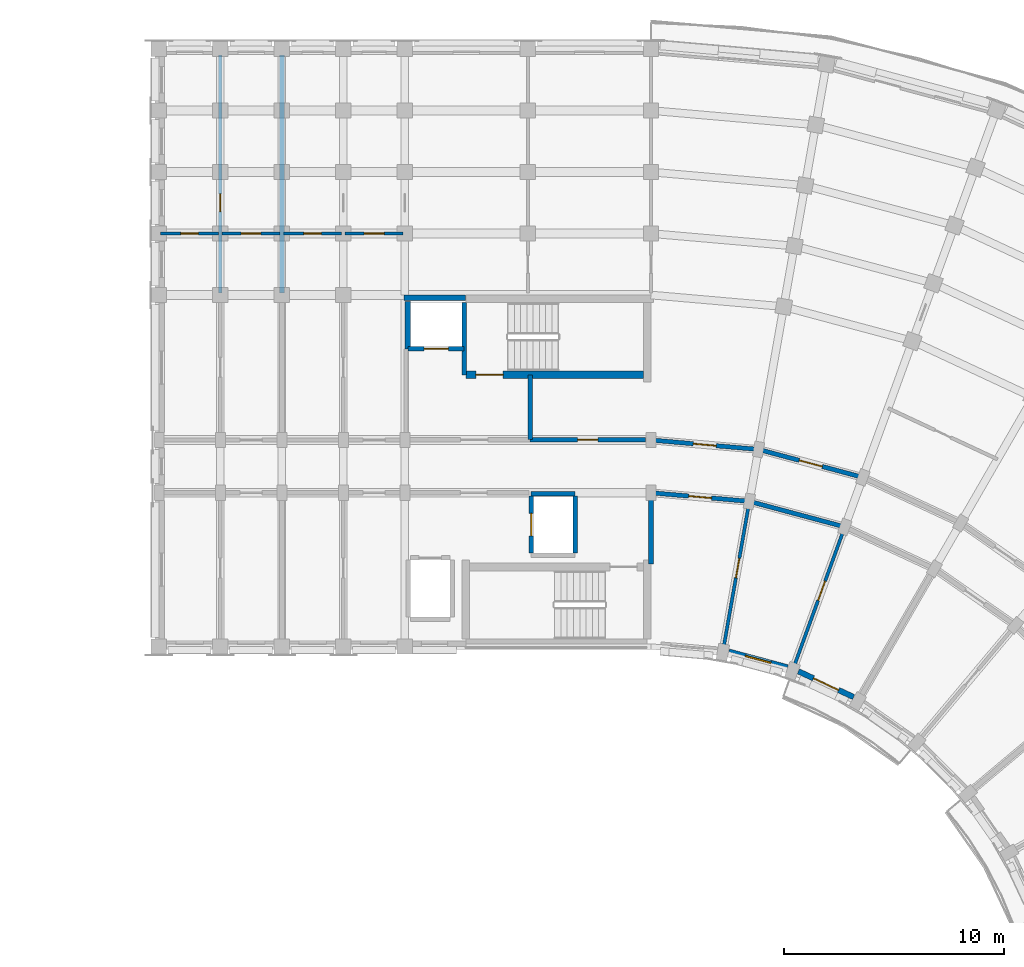
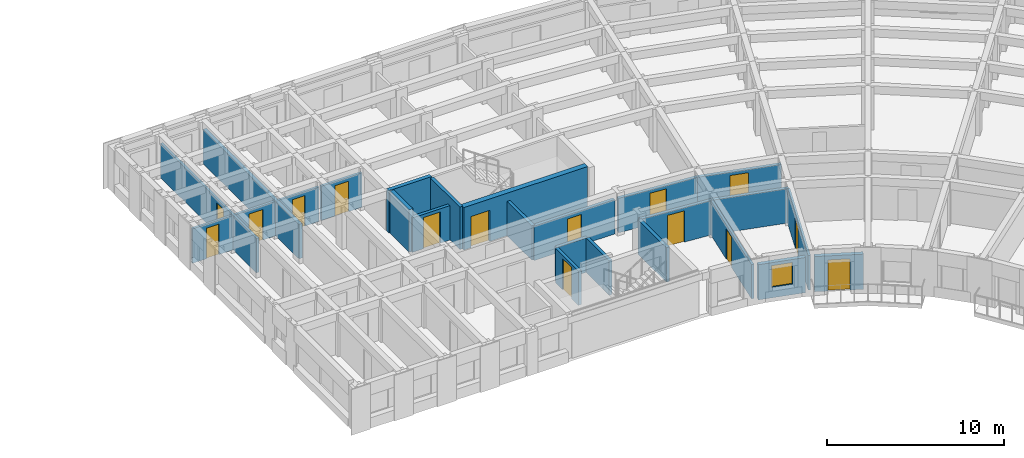
# One storey, part 32 of 57: 25 walls, 15 doors, 1 window, 16 openings.
"""IFC4 building model written with IfcOpenShell, lengths in metres."""

import ifcopenshell
import ifcopenshell.guid

model = None  # the IFC model being written
_history = None  # IfcOwnerHistory: only IFC2X3 demands one
_inside = {}  # id of a spatial element -> (the spatial element, [elements in it])
_under = {}  # id of a project, library or spatial element -> (it, [spatial elements below it])
_declared = {}  # id of a project -> (the project, [libraries it declares])
_typed = {}  # id of a type object -> (the type object, [elements of that type])
_made_of = {}  # id of a material, layer set ... -> (it, [elements and type objects made of it])


def new_model(schema):
    """Start an empty IFC model of exactly this schema.

    Asked for "IFC4X3", IfcOpenShell would pick the latest addendum, in which some entities
    have other attributes; the version numbers below select the first issue.
    IFC2X3 requires an IfcOwnerHistory on every rooted entity: one is made here for all.
    """
    global model, _history
    if schema == "IFC4X3":
        model = ifcopenshell.file(schema_version=(4, 3, 0, 0))
    else:
        model = ifcopenshell.file(schema=schema)
    _inside.clear()
    _under.clear()
    _declared.clear()
    _typed.clear()
    _made_of.clear()
    _history = None
    if model.schema == "IFC2X3":
        org = make("IfcOrganization", Name="unknown")
        user = make(
            "IfcPersonAndOrganization",
            ThePerson=make("IfcPerson", FamilyName="unknown"),
            TheOrganization=org,
        )
        app = make(
            "IfcApplication",
            ApplicationDeveloper=org,
            Version="unknown",
            ApplicationFullName="unknown",
            ApplicationIdentifier="unknown",
        )
        _history = make(
            "IfcOwnerHistory",
            OwningUser=user,
            OwningApplication=app,
            ChangeAction="ADDED",
            CreationDate=0,
        )
    return model


def make(cls, **values):
    """One entity of the class cls with the attributes given. An attribute that is None is left unset."""
    return model.create_entity(
        cls, **{name: value for name, value in values.items() if value is not None}
    )


def rooted(cls, **values):
    """An entity with a GlobalId (a new one), such as an element, a storey or a relation."""
    return make(cls, GlobalId=ifcopenshell.guid.new(), OwnerHistory=_history, **values)


def si_unit(unit_type, name, prefix=None):
    """IfcSIUnit, for example si_unit("LENGTHUNIT", "METRE", prefix="MILLI")."""
    return make("IfcSIUnit", UnitType=unit_type, Prefix=prefix, Name=name)


def assignment(units):
    """IfcUnitAssignment: the units of a project."""
    return None if units is None else make("IfcUnitAssignment", Units=units)


def point(xyz):
    """IfcCartesianPoint."""
    return None if xyz is None else make("IfcCartesianPoint", Coordinates=xyz)


def direction(xyz):
    """IfcDirection."""
    return None if xyz is None else make("IfcDirection", DirectionRatios=xyz)


def frame(location, z_axis=None, x_axis=None):
    """IfcAxis2Placement3D, a coordinate frame: its origin and axes. An axis left out is left unset."""
    return make(
        "IfcAxis2Placement3D",
        Location=point(location),
        Axis=direction(z_axis),
        RefDirection=direction(x_axis),
    )


def frame_2d(location, x_axis=None):
    """IfcAxis2Placement2D, a coordinate frame in the plane: its origin and x axis."""
    return make(
        "IfcAxis2Placement2D", Location=point(location), RefDirection=direction(x_axis)
    )


def origin():
    """The frame at (0, 0, 0) with its axes left unset."""
    return frame((0.0, 0.0, 0.0))


def place(relative_to, where):
    """IfcLocalPlacement: puts the frame where relative to a parent placement (None: the world)."""
    return make(
        "IfcLocalPlacement", PlacementRelTo=relative_to, RelativePlacement=where
    )


def context(
    kind, dimensions, precision=None, world=None, true_north=None, identifier=None
):
    """IfcGeometricRepresentationContext, for example the 3D "Model" context."""
    return make(
        "IfcGeometricRepresentationContext",
        ContextIdentifier=identifier,
        ContextType=kind,
        CoordinateSpaceDimension=dimensions,
        Precision=precision,
        WorldCoordinateSystem=world,
        TrueNorth=true_north,
    )


def subcontext(parent, identifier, kind, view, scale=None):
    """IfcGeometricRepresentationSubContext, for example "Body" below "Model"."""
    return make(
        "IfcGeometricRepresentationSubContext",
        ContextIdentifier=identifier,
        ContextType=kind,
        ParentContext=parent,
        TargetScale=scale,
        TargetView=view,
    )


def project(units=None, contexts=None):
    """IfcProject with its units and contexts."""
    return rooted(
        "IfcProject",
        Name="project",
        RepresentationContexts=contexts,
        UnitsInContext=assignment(units),
    )


def spatial(cls, under=None, at=None, **own):
    """A site, building, storey or space (cls), placed at a placement, below another one or the project."""
    s = rooted(cls, ObjectPlacement=at, **own)
    if under is not None:
        _under.setdefault(under.id(), (under, []))[1].append(s)
    return s


def profile(cls, at=None, kind="AREA", **sizes):
    """A parametric profile (cls). Its sizes go by their IFC names, for example OverallWidth=200.0."""
    return make(cls, ProfileType=kind, Position=at, **sizes)


def rectangle(**sizes):
    """IfcRectangleProfileDef."""
    return profile("IfcRectangleProfileDef", **sizes)


def extrude(swept, where, along, depth):
    """IfcExtrudedAreaSolid: the profile swept, set in the frame where, extruded along a direction by depth."""
    return make(
        "IfcExtrudedAreaSolid",
        SweptArea=swept,
        Position=where,
        ExtrudedDirection=direction(along),
        Depth=depth,
    )


def shape(context_of_items, identifier, shape_type, items):
    """IfcShapeRepresentation: the items that make up one representation, for example the "Body"."""
    return make(
        "IfcShapeRepresentation",
        ContextOfItems=context_of_items,
        RepresentationIdentifier=identifier,
        RepresentationType=shape_type,
        Items=items,
    )


def material(Name=None, Category=None):
    """IfcMaterial."""
    return make("IfcMaterial", Name=Name, Category=Category)


def layer(
    of_material, thickness, ventilated=None, Name=None, Category=None, Priority=None
):
    """IfcMaterialLayer: one layer of a wall or slab, of a material (None: an air gap)."""
    return make(
        "IfcMaterialLayer",
        Material=of_material,
        LayerThickness=thickness,
        IsVentilated=ventilated,
        Name=Name,
        Category=Category,
        Priority=Priority,
    )


def layer_set(layers, Name=None):
    """IfcMaterialLayerSet."""
    return make("IfcMaterialLayerSet", MaterialLayers=layers, LayerSetName=Name)


def made_of(thing, what):
    """Note that an element or type object is made of a material, layer set ...; save() writes the relation."""
    if what is not None:
        _made_of.setdefault(what.id(), (what, []))[1].append(thing)
    return thing


def type_object(cls, material=None, **own):
    """A type object (cls), such as IfcWallType, which elements share."""
    return made_of(rooted(cls, **own), material)


def element(
    cls,
    number,
    at=None,
    inside=None,
    cuts=None,
    type_object=None,
    material=None,
    context=None,
    identifier="Body",
    shape_type=None,
    held_by="IfcProductDefinitionShape",
    body=None,
    shapes=None,
    **own,
):
    """One element of the class cls, such as IfcWall. Its Tag is "e" and its number.

    at: its placement. inside: the storey or other place that contains it. cuts: it is an
    opening in that element (IfcRelVoidsElement). A single representation is given by context,
    identifier, shape_type and body (its items); several are given by shapes. held_by: the class
    of the entity that holds the representations. save() writes the other relations.
    """
    e = rooted(cls, Tag="e%d" % number, ObjectPlacement=at, **own)
    if body is not None:
        shapes = [shape(context, identifier, shape_type, body)]
    if shapes is not None:
        e.Representation = make(held_by, Representations=shapes)
    if inside is not None:
        _inside.setdefault(inside.id(), (inside, []))[1].append(e)
    if cuts is not None:
        rooted(
            "IfcRelVoidsElement", RelatingBuildingElement=cuts, RelatedOpeningElement=e
        )
    if type_object is not None:
        _typed.setdefault(type_object.id(), (type_object, []))[1].append(e)
    return made_of(e, material)


def fill(opening, filler):
    """IfcRelFillsElement: the door or window that sits in an opening."""
    return rooted(
        "IfcRelFillsElement",
        RelatingOpeningElement=opening,
        RelatedBuildingElement=filler,
    )


def aggregate(whole, parts):
    """IfcRelAggregates: a whole, such as a stair, and the parts it consists of."""
    return rooted("IfcRelAggregates", RelatingObject=whole, RelatedObjects=parts)


def save(model, path):
    """Write the relations noted so far, then the file.

    IfcRelAggregates (storeys below a building ...), IfcRelContainedInSpatialStructure (elements
    in a storey), IfcRelDefinesByType, IfcRelAssociatesMaterial and IfcRelDeclares: one each for
    every whole, place, type object, material and project.
    """
    for whole, parts in _under.values():
        aggregate(whole, parts)
    for where, things in _inside.values():
        rooted(
            "IfcRelContainedInSpatialStructure",
            RelatedElements=things,
            RelatingStructure=where,
        )
    for kind, things in _typed.values():
        rooted("IfcRelDefinesByType", RelatedObjects=things, RelatingType=kind)
    for what, things in _made_of.values():
        rooted("IfcRelAssociatesMaterial", RelatedObjects=things, RelatingMaterial=what)
    for by, libraries in _declared.values():
        rooted("IfcRelDeclares", RelatingContext=by, RelatedDefinitions=libraries)
    model.write(path)


model = new_model("IFC4")

# Units and contexts
model_context = context("Model", 3, precision=1e-05, world=origin(), true_north=direction((0.0, 1.0)))
body_context = subcontext(model_context, "Body", "Model", "MODEL_VIEW")
ifc_project = project(units=[si_unit("LENGTHUNIT", "METRE"), si_unit("AREAUNIT", "SQUARE_METRE"), si_unit("VOLUMEUNIT", "CUBIC_METRE"), si_unit("PLANEANGLEUNIT", "RADIAN"), si_unit("MASSUNIT", "GRAM", prefix="KILO")], contexts=[model_context])

# Site, building, storey
site_placement = place(None, origin())
site = spatial("IfcSite", under=ifc_project, at=site_placement, CompositionType="ELEMENT")
building_placement = place(site_placement, origin())
building = spatial("IfcBuilding", under=site, at=building_placement, Name="Kiranvali Square Residences", CompositionType="ELEMENT")
storey_placement = place(building_placement, frame((0.0, 0.0, 24.449951171875)))
storey = spatial("IfcBuildingStorey", under=building, at=storey_placement, Name="L07", CompositionType="ELEMENT", Elevation=24.449951171875)

# Wall, opening, door
ifc_material_1 = material(Name="Autoclaved aerated concrete blockwork masonry", Category="masonry")
ifc_layer_1 = layer(ifc_material_1, 0.199951171875)
ifc_layer_set_1 = layer_set([ifc_layer_1], Name="Autoclaved aerated concrete blockwork masonry")
wall_type_1 = type_object("IfcWallType", Name="WL-COR-200", PredefinedType="STANDARD", material=ifc_layer_set_1)
wall_1_placement = place(storey_placement, frame((119.800048828125, 113.60009765625, 0.0), z_axis=(0.0, 0.0, 1.0), x_axis=(0.996191949488, -0.087187153726, 0.0)))
wall_1 = element("IfcWall", 1, at=wall_1_placement, inside=storey, type_object=wall_type_1, Name="L07 architectural wall WL-L07-B-CCI-0", PredefinedType="STANDARD", context=body_context, shape_type="SweptSolid", body=[
    extrude(rectangle(XDim=4.4970703125, YDim=0.199951171875, at=frame_2d((2.24853515625, 0.0))), origin(), (0.0, 0.0, 1.0), 2.3720703125),
])
opening_1_placement = place(wall_1_placement, frame((1.728515625, 0.0, 0.0)))
opening_1 = element("IfcOpeningElement", 2, at=opening_1_placement, cuts=wall_1, Name="Opening FD-APT-60B", PredefinedType="OPENING", context=body_context, shape_type="SweptSolid", body=[
    extrude(rectangle(XDim=1.0400390625, YDim=2.14990234375, at=frame_2d((0.52001953125, 1.074951171875))), frame((0.0, 0.10986328125, 0.0), z_axis=(0.0, -1.0, 0.0), x_axis=(1.0, 0.0, 0.0)), (0.0, 0.0, 1.0), 0.219970703125),
])
ifc_material_2 = material(Name="Fire-rated acoustic hardwood and mineral-core door assembly", Category="wood")
door_type_1 = type_object("IfcDoorType", Name="DR-APT-1040", OperationType="NOTDEFINED", PredefinedType="DOOR", material=ifc_material_2)
door_1_placement = place(opening_1_placement, origin())
door_1 = element("IfcDoor", 3, at=door_1_placement, inside=storey, type_object=door_type_1, Name="L07 door DR-L07-1431 (DR-APT-1040)", OperationType="SINGLE_SWING_LEFT", OverallHeight=2.14990234375, OverallWidth=1.0400390625, PredefinedType="DOOR", context=body_context, shape_type="SweptSolid", body=[
    extrude(rectangle(XDim=1.0400390625, YDim=2.14990234375, at=frame_2d((0.52001953125, 1.074951171875))), frame((0.0, 0.02490234375, 0.0), z_axis=(0.0, -1.0, 0.0), x_axis=(1.0, 0.0, 0.0)), (0.0, 0.0, 1.0), 0.050048828125),
])
fill(opening_1, door_1)

wall_2_placement = place(storey_placement, frame((119.800048828125, 116.0, 0.0), z_axis=(0.0, 0.0, 1.0), x_axis=(0.996193663584, -0.087167566415, 0.0)))
wall_2 = element("IfcWall", 4, at=wall_2_placement, inside=storey, type_object=wall_type_1, Name="L07 architectural wall WL-L07-B-CCO-0", PredefinedType="STANDARD", context=body_context, shape_type="SweptSolid", body=[
    extrude(rectangle(XDim=4.91552734375, YDim=0.199951171875, at=frame_2d((2.457763671875, 0.0))), origin(), (0.0, 0.0, 1.0), 2.3720703125),
])
opening_2_placement = place(wall_2_placement, frame((1.937744140625, 0.0, 0.0)))
opening_2 = element("IfcOpeningElement", 5, at=opening_2_placement, cuts=wall_2, Name="Opening FD-APT-60B", PredefinedType="OPENING", context=body_context, shape_type="SweptSolid", body=[
    extrude(rectangle(XDim=1.0400390625, YDim=2.14990234375, at=frame_2d((0.52001953125, 1.074951171875))), frame((0.0, 0.10986328125, 0.0), z_axis=(0.0, -1.0, 0.0), x_axis=(1.0, 0.0, 0.0)), (0.0, 0.0, 1.0), 0.219970703125),
])
door_2_placement = place(opening_2_placement, origin())
door_2 = element("IfcDoor", 6, at=door_2_placement, inside=storey, type_object=door_type_1, Name="L07 door DR-L07-1423 (DR-APT-1040)", OperationType="SINGLE_SWING_LEFT", OverallHeight=2.14990234375, OverallWidth=1.0400390625, PredefinedType="DOOR", context=body_context, shape_type="SweptSolid", body=[
    extrude(rectangle(XDim=1.0400390625, YDim=2.14990234375, at=frame_2d((0.52001953125, 1.074951171875))), frame((0.0, 0.02490234375, 0.0), z_axis=(0.0, -1.0, 0.0), x_axis=(1.0, 0.0, 0.0)), (0.0, 0.0, 1.0), 0.050048828125),
])
fill(opening_2, door_2)

# Wall
wall_3_placement = place(storey_placement, frame((124.280029296875, 113.2080078125, 0.0), z_axis=(0.0, 0.0, 1.0), x_axis=(0.965934240054, -0.258787642463, 0.0)))
element("IfcWall", 7, at=wall_3_placement, inside=storey, type_object=wall_type_1, Name="L07 architectural wall WL-L07-B-CCI-1", PredefinedType="STANDARD", context=body_context, shape_type="SweptSolid", body=[
    extrude(rectangle(XDim=4.497314453125, YDim=0.199951171875, at=frame_2d((2.24853515625, 0.0))), origin(), (0.0, 0.0, 1.0), 2.3720703125),
])

# Wall, opening, door
wall_4_placement = place(storey_placement, frame((124.69677734375, 115.571533203125, 0.0), z_axis=(0.0, 0.0, 1.0), x_axis=(0.965930095386, -0.258803112091, 0.0)))
wall_4 = element("IfcWall", 8, at=wall_4_placement, inside=storey, type_object=wall_type_1, Name="L07 architectural wall WL-L07-B-CCO-1", PredefinedType="STANDARD", context=body_context, shape_type="SweptSolid", body=[
    extrude(rectangle(XDim=4.915771484375, YDim=0.199951171875, at=frame_2d((2.4580078125, 0.0))), origin(), (0.0, 0.0, 1.0), 2.3720703125),
])
opening_3_placement = place(wall_4_placement, frame((1.917724609375, 0.0, 0.0)))
opening_3 = element("IfcOpeningElement", 9, at=opening_3_placement, cuts=wall_4, Name="Opening FD-APT-60C", PredefinedType="OPENING", context=body_context, shape_type="SweptSolid", body=[
    extrude(rectangle(XDim=1.080078125, YDim=2.14990234375, at=frame_2d((0.5400390625, 1.074951171875))), frame((0.0, 0.10986328125, 0.0), z_axis=(0.0, -1.0, 0.0), x_axis=(1.0, 0.0, 0.0)), (0.0, 0.0, 1.0), 0.219970703125),
])
door_type_2 = type_object("IfcDoorType", Name="DR-APT-1080", OperationType="NOTDEFINED", PredefinedType="DOOR", material=ifc_material_2)
door_3_placement = place(opening_3_placement, frame((1.080078125, 0.0, 0.0), z_axis=(0.0, 0.0, 1.0), x_axis=(-1.0, 0.0, 0.0)))
door_3 = element("IfcDoor", 10, at=door_3_placement, inside=storey, type_object=door_type_2, Name="L07 door DR-L07-1424 (DR-APT-1080)", OperationType="SINGLE_SWING_RIGHT", OverallHeight=2.14990234375, OverallWidth=1.080078125, PredefinedType="DOOR", context=body_context, shape_type="SweptSolid", body=[
    extrude(rectangle(XDim=1.080078125, YDim=2.14990234375, at=frame_2d((0.5400390625, 1.074951171875))), frame((0.0, 0.02490234375, 0.0), z_axis=(0.0, -1.0, 0.0), x_axis=(1.0, 0.0, 0.0)), (0.0, 0.0, 1.0), 0.050048828125),
])
fill(opening_3, door_3)

# Walls
ifc_layer_2 = layer(ifc_material_1, 0.219970703125)
ifc_layer_set_2 = layer_set([ifc_layer_2], Name="Autoclaved aerated concrete blockwork masonry")
wall_type_2 = type_object("IfcWallType", Name="WL-DEM-220", PredefinedType="STANDARD", material=ifc_layer_set_2)
wall_5_placement = place(storey_placement, frame((103.0, 122.699951171875, 0.0), z_axis=(0.0, 0.0, 1.0), x_axis=(0.0, 1.0, 0.0)))
element("IfcWall", 11, at=wall_5_placement, inside=storey, type_object=wall_type_2, Name="L07 architectural wall WL-L07-B-A1TO2-2", PredefinedType="STANDARD", context=body_context, shape_type="SweptSolid", body=[
    extrude(rectangle(XDim=10.820068359375, YDim=0.219970703125, at=frame_2d((5.41015625, 0.0))), origin(), (0.0, 0.0, 1.0), 2.3720703125),
])
wall_6_placement = place(storey_placement, frame((119.800048828125, 110.35009765625, 0.0), z_axis=(0.0, 0.0, 1.0), x_axis=(0.0, 1.0, 0.0)))
element("IfcWall", 12, at=wall_6_placement, inside=storey, type_object=wall_type_2, Name="L07 architectural wall WL-L07-B-RADI-0", PredefinedType="STANDARD", context=body_context, shape_type="SweptSolid", body=[
    extrude(rectangle(XDim=3.199951171875, YDim=0.219970703125, at=frame_2d((1.60009765625, 0.0))), origin(), (0.0, 0.0, 1.0), 2.3720703125),
])

# Wall, opening, window
ifc_material_3 = material(Name="Breathable lime-rendered clay brick masonry", Category="masonry")
ifc_layer_3 = layer(ifc_material_3, 0.25)
ifc_layer_set_3 = layer_set([ifc_layer_3], Name="Breathable lime-rendered clay brick masonry")
wall_type_3 = type_object("IfcWallType", Name="WL-EXT-250", PredefinedType="STANDARD", material=ifc_layer_set_3)
wall_7_placement = place(storey_placement, frame((123.341796875, 106.369384765625, 0.0), z_axis=(0.0, 0.0, 1.0), x_axis=(0.965935855992, -0.25878161084, 0.0)))
wall_7 = element("IfcWall", 13, at=wall_7_placement, inside=storey, type_object=wall_type_3, Name="L07 exterior wall B-L07-GDN-01", PredefinedType="STANDARD", context=body_context, shape_type="SweptSolid", body=[
    extrude(rectangle(XDim=2.769775390625, YDim=0.25, at=frame_2d((1.384765625, 0.0))), origin(), (0.0, 0.0, 1.0), 2.422119140625),
])
opening_4_placement = place(wall_7_placement, frame((0.784912109375, 0.0, 0.721923828125)))
opening_4 = element("IfcOpeningElement", 14, at=opening_4_placement, cuts=wall_7, Name="Opening W-06", PredefinedType="OPENING", context=body_context, shape_type="SweptSolid", body=[
    extrude(rectangle(XDim=1.199951171875, YDim=1.5, at=frame_2d((0.60009765625, 0.75))), frame((0.0, 0.135009765625, 0.0), z_axis=(0.0, -1.0, 0.0), x_axis=(1.0, 0.0, 0.0)), (0.0, 0.0, 1.0), 0.27001953125),
])
ifc_material_4 = material(Name="Solar-control low-e double glazing", Category="glass")
window_type = type_object("IfcWindowType", Name="WIN-RES-1200x1500", PartitioningType="SINGLE_PANEL", PredefinedType="WINDOW", material=ifc_material_4)
window_placement = place(opening_4_placement, origin())
window = element("IfcWindow", 15, at=window_placement, inside=storey, type_object=window_type, Name="L07 recessed window B-L07-GDN-01", OverallHeight=1.5, OverallWidth=1.199951171875, PartitioningType="SINGLE_PANEL", PredefinedType="WINDOW", context=body_context, shape_type="SweptSolid", body=[
    extrude(rectangle(XDim=1.199951171875, YDim=1.5, at=frame_2d((0.60009765625, 0.75))), frame((0.0, 0.030029296875, 0.0), z_axis=(0.0, -1.0, 0.0), x_axis=(1.0, 0.0, 0.0)), (0.0, 0.0, 1.0), 0.06005859375),
])
fill(opening_4, window)

# Wall, opening, door
wall_8_placement = place(storey_placement, frame((126.5126953125, 105.472412109375, 0.0), z_axis=(0.0, 0.0, 1.0), x_axis=(0.906293449611, -0.422649007088, 0.0)))
wall_8 = element("IfcWall", 16, at=wall_8_placement, inside=storey, type_object=wall_type_3, Name="L07 exterior wall B-L07-GDN-02", PredefinedType="STANDARD", context=body_context, shape_type="SweptSolid", body=[
    extrude(rectangle(XDim=2.769775390625, YDim=0.25, at=frame_2d((1.384765625, 0.0))), origin(), (0.0, 0.0, 1.0), 2.422119140625),
])
opening_5_placement = place(wall_8_placement, frame((0.7548828125, 0.0, 0.0)))
opening_5 = element("IfcOpeningElement", 17, at=opening_5_placement, cuts=wall_8, Name="Opening ED-BAL-2", PredefinedType="OPENING", context=body_context, shape_type="SweptSolid", body=[
    extrude(rectangle(XDim=1.260009765625, YDim=2.14990234375, at=frame_2d((0.6298828125, 1.074951171875))), frame((0.0, 0.135009765625, 0.0), z_axis=(0.0, -1.0, 0.0), x_axis=(1.0, 0.0, 0.0)), (0.0, 0.0, 1.0), 0.27001953125),
])
ifc_material_5 = material(Name="Anodised bronze aluminium framing", Category="aluminium")
door_type_3 = type_object("IfcDoorType", Name="DR-BAL-1260", OperationType="NOTDEFINED", PredefinedType="DOOR", material=ifc_material_5)
door_4_placement = place(opening_5_placement, frame((1.260009765625, 0.0, 0.0), z_axis=(0.0, 0.0, 1.0), x_axis=(-1.0, 0.0, 0.0)))
door_4 = element("IfcDoor", 18, at=door_4_placement, inside=storey, type_object=door_type_3, Name="L07 balcony terrace door", OperationType="SINGLE_SWING_LEFT", OverallHeight=2.14990234375, OverallWidth=1.260009765625, PredefinedType="DOOR", context=body_context, shape_type="SweptSolid", body=[
    extrude(rectangle(XDim=1.260009765625, YDim=2.14990234375, at=frame_2d((0.6298828125, 1.074951171875))), frame((0.0, 0.02490234375, 0.0), z_axis=(0.0, -1.0, 0.0), x_axis=(1.0, 0.0, 0.0)), (0.0, 0.0, 1.0), 0.050048828125),
])
fill(opening_5, door_4)

# Wall
ifc_layer_4 = layer(ifc_material_1, 0.199951171875)
ifc_layer_set_4 = layer_set([ifc_layer_4], Name="Autoclaved aerated concrete blockwork masonry")
wall_type_4 = type_object("IfcWallType", Name="WL-FFL-200", PredefinedType="STANDARD", material=ifc_layer_set_4)
wall_9_placement = place(storey_placement, frame((114.300048828125, 116.02001953125, 0.0), z_axis=(0.0, 0.0, 1.0), x_axis=(0.0, 1.0, 0.0)))
element("IfcWall", 19, at=wall_9_placement, inside=storey, type_object=wall_type_4, Name="L07 architectural wall WL-L07-B-FF-DIV", PredefinedType="STANDARD", context=body_context, shape_type="SweptSolid", body=[
    extrude(rectangle(XDim=2.929931640625, YDim=0.199951171875, at=frame_2d((1.46484375, 0.0))), origin(), (0.0, 0.0, 1.0), 2.3720703125),
])

# Wall, opening, door
wall_10_placement = place(storey_placement, frame((111.300048828125, 120.14990234375, 0.0), z_axis=(0.0, 0.0, 1.0), x_axis=(-1.0, 0.0, 0.0)))
wall_10 = element("IfcWall", 20, at=wall_10_placement, inside=storey, type_object=wall_type_4, Name="L07 architectural wall WL-L07-B-FF-LFT", PredefinedType="STANDARD", context=body_context, shape_type="SweptSolid", body=[
    extrude(rectangle(XDim=2.550048828125, YDim=0.199951171875, at=frame_2d((1.27490234375, 0.0))), origin(), (0.0, 0.0, 1.0), 2.3720703125),
])
opening_6_placement = place(wall_10_placement, frame((0.72509765625, 0.0, 0.0)))
opening_6 = element("IfcOpeningElement", 21, at=opening_6_placement, cuts=wall_10, Name="Opening LD-FF-110", PredefinedType="OPENING", context=body_context, shape_type="SweptSolid", body=[
    extrude(rectangle(XDim=1.10009765625, YDim=2.14990234375, at=frame_2d((0.550048828125, 1.074951171875))), frame((0.0, 0.10986328125, 0.0), z_axis=(0.0, -1.0, 0.0), x_axis=(1.0, 0.0, 0.0)), (0.0, 0.0, 1.0), 0.219970703125),
])
door_type_4 = type_object("IfcDoorType", Name="DR-LIFT-FF-1100", OperationType="SLIDING_TO_LEFT", PredefinedType="DOOR", material=ifc_material_2)
door_5_placement = place(opening_6_placement, origin())
door_5 = element("IfcDoor", 22, at=door_5_placement, inside=storey, type_object=door_type_4, Name="L07 door DR-L07-1388 (DR-LIFT-FF-1100)", OperationType="SLIDING_TO_LEFT", OverallHeight=2.14990234375, OverallWidth=1.10009765625, PredefinedType="DOOR", context=body_context, shape_type="SweptSolid", body=[
    extrude(rectangle(XDim=1.10009765625, YDim=2.14990234375, at=frame_2d((0.550048828125, 1.074951171875))), frame((0.0, 0.02490234375, 0.0), z_axis=(0.0, -1.0, 0.0), x_axis=(1.0, 0.0, 0.0)), (0.0, 0.0, 1.0), 0.050048828125),
])
fill(opening_6, door_5)

ifc_material_6 = material(Name="Acoustic gypsum board drylined partition", Category="gypsum")
ifc_layer_5 = layer(ifc_material_6, 0.14990234375)
ifc_layer_set_5 = layer_set([ifc_layer_5], Name="Acoustic gypsum board drylined partition")
wall_type_5 = type_object("IfcWallType", Name="WL-PRT-150", PredefinedType="PARTITIONING", material=ifc_layer_set_5)
wall_11_placement = place(storey_placement, frame((100.199951171875, 122.699951171875, 0.0), z_axis=(0.0, 0.0, 1.0), x_axis=(0.0, 1.0, 0.0)))
wall_11 = element("IfcWall", 23, at=wall_11_placement, inside=storey, type_object=wall_type_5, Name="L07 architectural wall WL-L07-B-A1TO2-3", PredefinedType="PARTITIONING", context=body_context, shape_type="SweptSolid", body=[
    extrude(rectangle(XDim=10.820068359375, YDim=0.14990234375, at=frame_2d((5.41015625, 0.0))), origin(), (0.0, 0.0, 1.0), 2.3720703125),
])
opening_7_placement = place(wall_11_placement, frame((3.69970703125, 0.0, 0.0)))
opening_7 = element("IfcOpeningElement", 24, at=opening_7_placement, cuts=wall_11, Name="Opening ID-WET", PredefinedType="OPENING", context=body_context, shape_type="SweptSolid", body=[
    extrude(rectangle(XDim=0.800048828125, YDim=2.10009765625, at=frame_2d((0.39990234375, 1.050048828125))), frame((0.0, 0.0849609375, 0.0), z_axis=(0.0, -1.0, 0.0), x_axis=(1.0, 0.0, 0.0)), (0.0, 0.0, 1.0), 0.169921875),
])
ifc_material_7 = material(Name="Solid seasoned teak hardwood joinery", Category="wood")
door_type_5 = type_object("IfcDoorType", Name="DR-WET-800", OperationType="NOTDEFINED", PredefinedType="DOOR", material=ifc_material_7)
door_6_placement = place(opening_7_placement, frame((0.800048828125, 0.0, 0.0), z_axis=(0.0, 0.0, 1.0), x_axis=(-1.0, 0.0, 0.0)))
door_6 = element("IfcDoor", 25, at=door_6_placement, inside=storey, type_object=door_type_5, Name="L07 door DR-L07-1412 (DR-WET-800)", OperationType="SINGLE_SWING_RIGHT", OverallHeight=2.10009765625, OverallWidth=0.800048828125, PredefinedType="DOOR", context=body_context, shape_type="SweptSolid", body=[
    extrude(rectangle(XDim=0.800048828125, YDim=2.10009765625, at=frame_2d((0.39990234375, 1.050048828125))), frame((0.0, 0.02490234375, 0.0), z_axis=(0.0, -1.0, 0.0), x_axis=(1.0, 0.0, 0.0)), (0.0, 0.0, 1.0), 0.050048828125),
])
fill(opening_7, door_6)

wall_12_placement = place(storey_placement, frame((123.099365234375, 106.51123046875, 0.0), z_axis=(0.0, 0.0, 1.0), x_axis=(0.173647089161, 0.984807944945, 0.0)))
wall_12 = element("IfcWall", 26, at=wall_12_placement, inside=storey, type_object=wall_type_5, Name="L07 architectural wall WL-L07-B-RADI-1", PredefinedType="PARTITIONING", context=body_context, shape_type="SweptSolid", body=[
    extrude(rectangle(XDim=6.75, YDim=0.14990234375, at=frame_2d((3.375, 0.0))), origin(), (0.0, 0.0, 1.0), 2.3720703125),
])
opening_8_placement = place(wall_12_placement, frame((3.262451171875, 0.0, 0.0)))
opening_8 = element("IfcOpeningElement", 27, at=opening_8_placement, cuts=wall_12, Name="Opening ID-1", PredefinedType="OPENING", context=body_context, shape_type="SweptSolid", body=[
    extrude(rectangle(XDim=0.89990234375, YDim=2.10009765625, at=frame_2d((0.449951171875, 1.050048828125))), frame((0.0, 0.0849609375, 0.0), z_axis=(0.0, -1.0, 0.0), x_axis=(1.0, 0.0, 0.0)), (0.0, 0.0, 1.0), 0.169921875),
])
door_type_6 = type_object("IfcDoorType", Name="DR-INT-900", OperationType="NOTDEFINED", PredefinedType="DOOR", material=ifc_material_7)
door_7_placement = place(opening_8_placement, frame((0.89990234375, 0.0, 0.0), z_axis=(0.0, 0.0, 1.0), x_axis=(-1.0, 0.0, 0.0)))
door_7 = element("IfcDoor", 28, at=door_7_placement, inside=storey, type_object=door_type_6, Name="L07 door DR-L07-1414 (DR-INT-900)", OperationType="SINGLE_SWING_RIGHT", OverallHeight=2.10009765625, OverallWidth=0.89990234375, PredefinedType="DOOR", context=body_context, shape_type="SweptSolid", body=[
    extrude(rectangle(XDim=0.89990234375, YDim=2.10009765625, at=frame_2d((0.449951171875, 1.050048828125))), frame((0.0, 0.02490234375, 0.0), z_axis=(0.0, -1.0, 0.0), x_axis=(1.0, 0.0, 0.0)), (0.0, 0.0, 1.0), 0.050048828125),
])
fill(opening_8, door_7)

wall_13_placement = place(storey_placement, frame((126.29833984375, 105.654052734375, 0.0), z_axis=(0.0, 0.0, 1.0), x_axis=(0.342010221662, 0.939696231917, 0.0)))
wall_13 = element("IfcWall", 29, at=wall_13_placement, inside=storey, type_object=wall_type_5, Name="L07 architectural wall WL-L07-B-RADI-2", PredefinedType="PARTITIONING", context=body_context, shape_type="SweptSolid", body=[
    extrude(rectangle(XDim=6.75, YDim=0.14990234375, at=frame_2d((3.375, 0.0))), origin(), (0.0, 0.0, 1.0), 2.3720703125),
])
opening_9_placement = place(wall_13_placement, frame((3.242431640625, 0.0, 0.0)))
opening_9 = element("IfcOpeningElement", 30, at=opening_9_placement, cuts=wall_13, Name="Opening ID-2", PredefinedType="OPENING", context=body_context, shape_type="SweptSolid", body=[
    extrude(rectangle(XDim=0.93994140625, YDim=2.10009765625, at=frame_2d((0.469970703125, 1.050048828125))), frame((0.0, 0.0849609375, 0.0), z_axis=(0.0, -1.0, 0.0), x_axis=(1.0, 0.0, 0.0)), (0.0, 0.0, 1.0), 0.169921875),
])
door_type_7 = type_object("IfcDoorType", Name="DR-INT-940", OperationType="NOTDEFINED", PredefinedType="DOOR", material=ifc_material_7)
door_8_placement = place(opening_9_placement, origin())
door_8 = element("IfcDoor", 31, at=door_8_placement, inside=storey, type_object=door_type_7, Name="L07 door DR-L07-1415 (DR-INT-940)", OperationType="SINGLE_SWING_LEFT", OverallHeight=2.10009765625, OverallWidth=0.93994140625, PredefinedType="DOOR", context=body_context, shape_type="SweptSolid", body=[
    extrude(rectangle(XDim=0.93994140625, YDim=2.10009765625, at=frame_2d((0.469970703125, 1.050048828125))), frame((0.0, 0.02490234375, 0.0), z_axis=(0.0, -1.0, 0.0), x_axis=(1.0, 0.0, 0.0)), (0.0, 0.0, 1.0), 0.050048828125),
])
fill(opening_9, door_8)

ifc_layer_6 = layer(ifc_material_1, 0.199951171875)
ifc_layer_set_6 = layer_set([ifc_layer_6], Name="Autoclaved aerated concrete blockwork masonry")
wall_type_6 = type_object("IfcWallType", Name="WL-SHF-200", PredefinedType="STANDARD", material=ifc_layer_set_6)
wall_14_placement = place(storey_placement, frame((119.550048828125, 116.02001953125, 0.0), z_axis=(0.0, 0.0, 1.0), x_axis=(-1.0, 0.0, 0.0)))
wall_14 = element("IfcWall", 32, at=wall_14_placement, inside=storey, type_object=wall_type_6, Name="L07 architectural wall WL-L07-B-RSR-COR", PredefinedType="STANDARD", context=body_context, shape_type="SweptSolid", body=[
    extrude(rectangle(XDim=5.25, YDim=0.199951171875, at=frame_2d((2.625, 0.0))), origin(), (0.0, 0.0, 1.0), 2.3720703125),
])
opening_10_placement = place(wall_14_placement, frame((2.1650390625, 0.0, 0.0)))
opening_10 = element("IfcOpeningElement", 33, at=opening_10_placement, cuts=wall_14, Name="Opening FD-SVC-120", PredefinedType="OPENING", context=body_context, shape_type="SweptSolid", body=[
    extrude(rectangle(XDim=0.919921875, YDim=2.10009765625, at=frame_2d((0.4599609375, 1.050048828125))), frame((0.0, 0.10986328125, 0.0), z_axis=(0.0, -1.0, 0.0), x_axis=(1.0, 0.0, 0.0)), (0.0, 0.0, 1.0), 0.219970703125),
])
door_type_8 = type_object("IfcDoorType", Name="DR-SVC-900", OperationType="NOTDEFINED", PredefinedType="DOOR", material=ifc_material_2)
door_9_placement = place(opening_10_placement, origin())
door_9 = element("IfcDoor", 34, at=door_9_placement, inside=storey, type_object=door_type_8, Name="L07 door DR-L07-1387 (DR-SVC-900)", OperationType="SINGLE_SWING_LEFT", OverallHeight=2.10009765625, OverallWidth=0.919921875, PredefinedType="DOOR", context=body_context, shape_type="SweptSolid", body=[
    extrude(rectangle(XDim=0.919921875, YDim=2.10009765625, at=frame_2d((0.4599609375, 1.050048828125))), frame((0.0, 0.02490234375, 0.0), z_axis=(0.0, -1.0, 0.0), x_axis=(1.0, 0.0, 0.0)), (0.0, 0.0, 1.0), 0.050048828125),
])
fill(opening_10, door_9)

# Walls
wall_15_placement = place(storey_placement, frame((111.300048828125, 118.949951171875, 0.0), z_axis=(0.0, 0.0, 1.0), x_axis=(0.0, 1.0, 0.0)))
element("IfcWall", 35, at=wall_15_placement, inside=storey, type_object=wall_type_6, Name="L07 architectural wall WL-L07-B-FF-SHF", PredefinedType="STANDARD", context=body_context, shape_type="SweptSolid", body=[
    extrude(rectangle(XDim=3.300048828125, YDim=0.199951171875, at=frame_2d((1.64990234375, 0.0))), origin(), (0.0, 0.0, 1.0), 2.929931640625),
])
wall_16_placement = place(storey_placement, frame((116.35009765625, 113.550048828125, 0.0), z_axis=(0.0, 0.0, 1.0), x_axis=(-1.0, 0.0, 0.0)))
element("IfcWall", 36, at=wall_16_placement, inside=storey, type_object=wall_type_6, Name="L07 architectural wall WL-L07-B-LP2-B", PredefinedType="STANDARD", context=body_context, shape_type="SweptSolid", body=[
    extrude(rectangle(XDim=2.0, YDim=0.199951171875, at=frame_2d((1.0, 0.0))), origin(), (0.0, 0.0, 1.0), 2.3720703125),
])
wall_17_placement = place(storey_placement, frame((116.35009765625, 110.85009765625, 0.0), z_axis=(0.0, 0.0, 1.0), x_axis=(0.0, 1.0, 0.0)))
element("IfcWall", 37, at=wall_17_placement, inside=storey, type_object=wall_type_6, Name="L07 architectural wall WL-L07-B-LP2-S1", PredefinedType="STANDARD", context=body_context, shape_type="SweptSolid", body=[
    extrude(rectangle(XDim=2.599853515625, YDim=0.199951171875, at=frame_2d((1.2998046875, 0.0))), origin(), (0.0, 0.0, 1.0), 2.3720703125),
])

# Wall, opening, door
wall_18_placement = place(storey_placement, frame((114.35009765625, 110.85009765625, 0.0), z_axis=(0.0, 0.0, 1.0), x_axis=(0.0, 1.0, 0.0)))
wall_18 = element("IfcWall", 38, at=wall_18_placement, inside=storey, type_object=wall_type_6, Name="L07 architectural wall WL-L07-B-LP2-F", PredefinedType="STANDARD", context=body_context, shape_type="SweptSolid", body=[
    extrude(rectangle(XDim=2.599853515625, YDim=0.199951171875, at=frame_2d((1.2998046875, 0.0))), origin(), (0.0, 0.0, 1.0), 2.3720703125),
])
opening_11_placement = place(wall_18_placement, frame((0.7900390625, 0.0, 0.0)))
opening_11 = element("IfcOpeningElement", 39, at=opening_11_placement, cuts=wall_18, Name="Opening LD-PAX-100", PredefinedType="OPENING", context=body_context, shape_type="SweptSolid", body=[
    extrude(rectangle(XDim=1.02001953125, YDim=2.14990234375, at=frame_2d((0.510009765625, 1.074951171875))), frame((0.0, 0.10986328125, 0.0), z_axis=(0.0, -1.0, 0.0), x_axis=(1.0, 0.0, 0.0)), (0.0, 0.0, 1.0), 0.219970703125),
])
door_type_9 = type_object("IfcDoorType", Name="DR-LIFT-1000", OperationType="SLIDING_TO_RIGHT", PredefinedType="DOOR", material=ifc_material_2)
door_10_placement = place(opening_11_placement, origin())
door_10 = element("IfcDoor", 40, at=door_10_placement, inside=storey, type_object=door_type_9, Name="L07 door DR-L07-1393 (DR-LIFT-1000)", OperationType="SLIDING_TO_RIGHT", OverallHeight=2.14990234375, OverallWidth=1.02001953125, PredefinedType="DOOR", context=body_context, shape_type="SweptSolid", body=[
    extrude(rectangle(XDim=1.02001953125, YDim=2.14990234375, at=frame_2d((0.510009765625, 1.074951171875))), frame((0.0, 0.02490234375, 0.0), z_axis=(0.0, -1.0, 0.0), x_axis=(1.0, 0.0, 0.0)), (0.0, 0.0, 1.0), 0.050048828125),
])
fill(opening_11, door_10)

# Walls
ifc_material_8 = material(Name="Concrete M45 (45 MPa)", Category="concrete")
ifc_layer_7 = layer(ifc_material_8, 0.25)
ifc_layer_set_7 = layer_set([ifc_layer_7], Name="Concrete M45 (45 MPa)")
wall_type_7 = type_object("IfcWallType", Name="WL-SHR-250", PredefinedType="SHEAR", material=ifc_layer_set_7)
wall_19_placement = place(storey_placement, frame((111.35009765625, 122.47509765625, 0.0), z_axis=(0.0, 0.0, 1.0), x_axis=(-1.0, 0.0, 0.0)))
element("IfcWall", 41, at=wall_19_placement, inside=storey, type_object=wall_type_7, Name="Block B core shear wall SW-BFF-BK-L07", PredefinedType="SHEAR", context=body_context, shape_type="SweptSolid", body=[
    extrude(rectangle(XDim=2.800048828125, YDim=0.25, at=frame_2d((1.39990234375, 0.0))), origin(), (0.0, 0.0, 1.0), 2.929931640625),
])
wall_20_placement = place(storey_placement, frame((108.72509765625, 120.14990234375, 0.0), z_axis=(0.0, 0.0, 1.0), x_axis=(0.0, 1.0, 0.0)))
element("IfcWall", 42, at=wall_20_placement, inside=storey, type_object=wall_type_7, Name="Block B core shear wall SW-BFF-SD-L07", PredefinedType="SHEAR", context=body_context, shape_type="SweptSolid", body=[
    extrude(rectangle(XDim=2.150146484375, YDim=0.25, at=frame_2d((1.0751953125, 0.0))), origin(), (0.0, 0.0, 1.0), 2.929931640625),
])

# Wall, opening, door
ifc_layer_8 = layer(ifc_material_8, 0.320068359375)
ifc_layer_set_8 = layer_set([ifc_layer_8], Name="Concrete M45 (45 MPa)")
wall_type_8 = type_object("IfcWallType", Name="WL-SHR-320", PredefinedType="SHEAR", material=ifc_layer_set_8)
wall_21_placement = place(storey_placement, frame((119.449951171875, 118.97509765625, 0.0), z_axis=(0.0, 0.0, 1.0), x_axis=(-1.0, 0.0, 0.0)))
wall_21 = element("IfcWall", 43, at=wall_21_placement, inside=storey, type_object=wall_type_8, Name="Block B core shear wall SW-B1-IN-L07", PredefinedType="SHEAR", context=body_context, shape_type="SweptSolid", body=[
    extrude(rectangle(XDim=8.074951171875, YDim=0.35009765625, at=frame_2d((4.03759765625, 0.0))), origin(), (0.0, 0.0, 1.0), 2.929931640625),
])
opening_12_placement = place(wall_21_placement, frame((6.3798828125, 0.0, 0.0)))
opening_12 = element("IfcOpeningElement", 44, at=opening_12_placement, cuts=wall_21, Name="Opening FD-ST-120", PredefinedType="OPENING", context=body_context, shape_type="SweptSolid", body=[
    extrude(rectangle(XDim=1.239990234375, YDim=2.14990234375, at=frame_2d((0.6201171875, 1.074951171875))), frame((0.0, 0.18505859375, 0.0), z_axis=(0.0, -1.0, 0.0), x_axis=(1.0, 0.0, 0.0)), (0.0, 0.0, 1.0), 0.3701171875),
])
door_type_10 = type_object("IfcDoorType", Name="DR-FD120-1200", OperationType="NOTDEFINED", PredefinedType="DOOR", material=ifc_material_2)
door_11_placement = place(opening_12_placement, frame((1.239990234375, 0.0, 0.0), z_axis=(0.0, 0.0, 1.0), x_axis=(-1.0, 0.0, 0.0)))
door_11 = element("IfcDoor", 45, at=door_11_placement, inside=storey, type_object=door_type_10, Name="L07 door DR-L07-1389 (DR-FD120-1200)", OperationType="SINGLE_SWING_LEFT", OverallHeight=2.14990234375, OverallWidth=1.239990234375, PredefinedType="DOOR", context=body_context, shape_type="SweptSolid", body=[
    extrude(rectangle(XDim=1.239990234375, YDim=2.14990234375, at=frame_2d((0.6201171875, 1.074951171875))), frame((0.0, 0.02490234375, 0.0), z_axis=(0.0, -1.0, 0.0), x_axis=(1.0, 0.0, 0.0)), (0.0, 0.0, 1.0), 0.050048828125),
])
fill(opening_12, door_11)

ifc_layer_9 = layer(ifc_material_1, 0.14990234375)
ifc_layer_set_9 = layer_set([ifc_layer_9], Name="Autoclaved aerated concrete blockwork masonry")
wall_type_9 = type_object("IfcWallType", Name="WL-WET-150", PredefinedType="PLUMBINGWALL", material=ifc_layer_set_9)
wall_22_placement = place(storey_placement, frame((108.52001953125, 125.39990234375, 0.0), z_axis=(0.0, 0.0, 1.0), x_axis=(-1.0, 0.0, 0.0)))
wall_22 = element("IfcWall", 46, at=wall_22_placement, inside=storey, type_object=wall_type_9, Name="L07 architectural wall WL-L07-B-A1SP-0", PredefinedType="PLUMBINGWALL", context=body_context, shape_type="SweptSolid", body=[
    extrude(rectangle(XDim=2.64013671875, YDim=0.14990234375, at=frame_2d((1.320068359375, 0.0))), origin(), (0.0, 0.0, 1.0), 2.3720703125),
])
opening_13_placement = place(wall_22_placement, frame((0.8701171875, 0.0, 0.0)))
opening_13 = element("IfcOpeningElement", 47, at=opening_13_placement, cuts=wall_22, Name="Opening ID-1", PredefinedType="OPENING", context=body_context, shape_type="SweptSolid", body=[
    extrude(rectangle(XDim=0.89990234375, YDim=2.10009765625, at=frame_2d((0.449951171875, 1.050048828125))), frame((0.0, 0.0849609375, 0.0), z_axis=(0.0, -1.0, 0.0), x_axis=(1.0, 0.0, 0.0)), (0.0, 0.0, 1.0), 0.169921875),
])
door_12_placement = place(opening_13_placement, origin())
door_12 = element("IfcDoor", 48, at=door_12_placement, inside=storey, type_object=door_type_6, Name="L07 door DR-L07-1399 (DR-INT-900)", OperationType="SINGLE_SWING_LEFT", OverallHeight=2.10009765625, OverallWidth=0.89990234375, PredefinedType="DOOR", context=body_context, shape_type="SweptSolid", body=[
    extrude(rectangle(XDim=0.89990234375, YDim=2.10009765625, at=frame_2d((0.449951171875, 1.050048828125))), frame((0.0, 0.02490234375, 0.0), z_axis=(0.0, -1.0, 0.0), x_axis=(1.0, 0.0, 0.0)), (0.0, 0.0, 1.0), 0.050048828125),
])
fill(opening_13, door_12)

wall_23_placement = place(storey_placement, frame((105.719970703125, 125.39990234375, 0.0), z_axis=(0.0, 0.0, 1.0), x_axis=(-1.0, 0.0, 0.0)))
wall_23 = element("IfcWall", 49, at=wall_23_placement, inside=storey, type_object=wall_type_9, Name="L07 architectural wall WL-L07-B-A1SP-1", PredefinedType="PLUMBINGWALL", context=body_context, shape_type="SweptSolid", body=[
    extrude(rectangle(XDim=2.639892578125, YDim=0.14990234375, at=frame_2d((1.31982421875, 0.0))), origin(), (0.0, 0.0, 1.0), 2.3720703125),
])
opening_14_placement = place(wall_23_placement, frame((0.919921875, 0.0, 0.0)))
opening_14 = element("IfcOpeningElement", 50, at=opening_14_placement, cuts=wall_23, Name="Opening ID-WET", PredefinedType="OPENING", context=body_context, shape_type="SweptSolid", body=[
    extrude(rectangle(XDim=0.800048828125, YDim=2.10009765625, at=frame_2d((0.39990234375, 1.050048828125))), frame((0.0, 0.0849609375, 0.0), z_axis=(0.0, -1.0, 0.0), x_axis=(1.0, 0.0, 0.0)), (0.0, 0.0, 1.0), 0.169921875),
])
door_13_placement = place(opening_14_placement, origin())
door_13 = element("IfcDoor", 51, at=door_13_placement, inside=storey, type_object=door_type_5, Name="L07 door DR-L07-1401 (DR-WET-800)", OperationType="SINGLE_SWING_LEFT", OverallHeight=2.10009765625, OverallWidth=0.800048828125, PredefinedType="DOOR", context=body_context, shape_type="SweptSolid", body=[
    extrude(rectangle(XDim=0.800048828125, YDim=2.10009765625, at=frame_2d((0.39990234375, 1.050048828125))), frame((0.0, 0.02490234375, 0.0), z_axis=(0.0, -1.0, 0.0), x_axis=(1.0, 0.0, 0.0)), (0.0, 0.0, 1.0), 0.050048828125),
])
fill(opening_14, door_13)

wall_24_placement = place(storey_placement, frame((102.919921875, 125.39990234375, 0.0), z_axis=(0.0, 0.0, 1.0), x_axis=(-1.0, 0.0, 0.0)))
wall_24 = element("IfcWall", 52, at=wall_24_placement, inside=storey, type_object=wall_type_9, Name="L07 architectural wall WL-L07-B-A1SP-2", PredefinedType="PLUMBINGWALL", context=body_context, shape_type="SweptSolid", body=[
    extrude(rectangle(XDim=2.639892578125, YDim=0.14990234375, at=frame_2d((1.31982421875, 0.0))), origin(), (0.0, 0.0, 1.0), 2.3720703125),
])
opening_15_placement = place(wall_24_placement, frame((0.8701171875, 0.0, 0.0)))
opening_15 = element("IfcOpeningElement", 53, at=opening_15_placement, cuts=wall_24, Name="Opening ID-1", PredefinedType="OPENING", context=body_context, shape_type="SweptSolid", body=[
    extrude(rectangle(XDim=0.89990234375, YDim=2.10009765625, at=frame_2d((0.449951171875, 1.050048828125))), frame((0.0, 0.0849609375, 0.0), z_axis=(0.0, -1.0, 0.0), x_axis=(1.0, 0.0, 0.0)), (0.0, 0.0, 1.0), 0.169921875),
])
door_14_placement = place(opening_15_placement, origin())
door_14 = element("IfcDoor", 54, at=door_14_placement, inside=storey, type_object=door_type_6, Name="L07 door DR-L07-1403 (DR-INT-900)", OperationType="SINGLE_SWING_LEFT", OverallHeight=2.10009765625, OverallWidth=0.89990234375, PredefinedType="DOOR", context=body_context, shape_type="SweptSolid", body=[
    extrude(rectangle(XDim=0.89990234375, YDim=2.10009765625, at=frame_2d((0.449951171875, 1.050048828125))), frame((0.0, 0.02490234375, 0.0), z_axis=(0.0, -1.0, 0.0), x_axis=(1.0, 0.0, 0.0)), (0.0, 0.0, 1.0), 0.050048828125),
])
fill(opening_15, door_14)

wall_25_placement = place(storey_placement, frame((100.1201171875, 125.39990234375, 0.0), z_axis=(0.0, 0.0, 1.0), x_axis=(-1.0, 0.0, 0.0)))
wall_25 = element("IfcWall", 55, at=wall_25_placement, inside=storey, type_object=wall_type_9, Name="L07 architectural wall WL-L07-B-A1SP-3", PredefinedType="PLUMBINGWALL", context=body_context, shape_type="SweptSolid", body=[
    extrude(rectangle(XDim=2.64013671875, YDim=0.14990234375, at=frame_2d((1.320068359375, 0.0))), origin(), (0.0, 0.0, 1.0), 2.3720703125),
])
opening_16_placement = place(wall_25_placement, frame((0.919921875, 0.0, 0.0)))
opening_16 = element("IfcOpeningElement", 56, at=opening_16_placement, cuts=wall_25, Name="Opening ID-WET", PredefinedType="OPENING", context=body_context, shape_type="SweptSolid", body=[
    extrude(rectangle(XDim=0.800048828125, YDim=2.10009765625, at=frame_2d((0.39990234375, 1.050048828125))), frame((0.0, 0.0849609375, 0.0), z_axis=(0.0, -1.0, 0.0), x_axis=(1.0, 0.0, 0.0)), (0.0, 0.0, 1.0), 0.169921875),
])
door_15_placement = place(opening_16_placement, origin())
door_15 = element("IfcDoor", 57, at=door_15_placement, inside=storey, type_object=door_type_5, Name="L07 door DR-L07-1405 (DR-WET-800)", OperationType="SINGLE_SWING_LEFT", OverallHeight=2.10009765625, OverallWidth=0.800048828125, PredefinedType="DOOR", context=body_context, shape_type="SweptSolid", body=[
    extrude(rectangle(XDim=0.800048828125, YDim=2.10009765625, at=frame_2d((0.39990234375, 1.050048828125))), frame((0.0, 0.02490234375, 0.0), z_axis=(0.0, -1.0, 0.0), x_axis=(1.0, 0.0, 0.0)), (0.0, 0.0, 1.0), 0.050048828125),
])
fill(opening_16, door_15)

save(model, "model.ifc")
